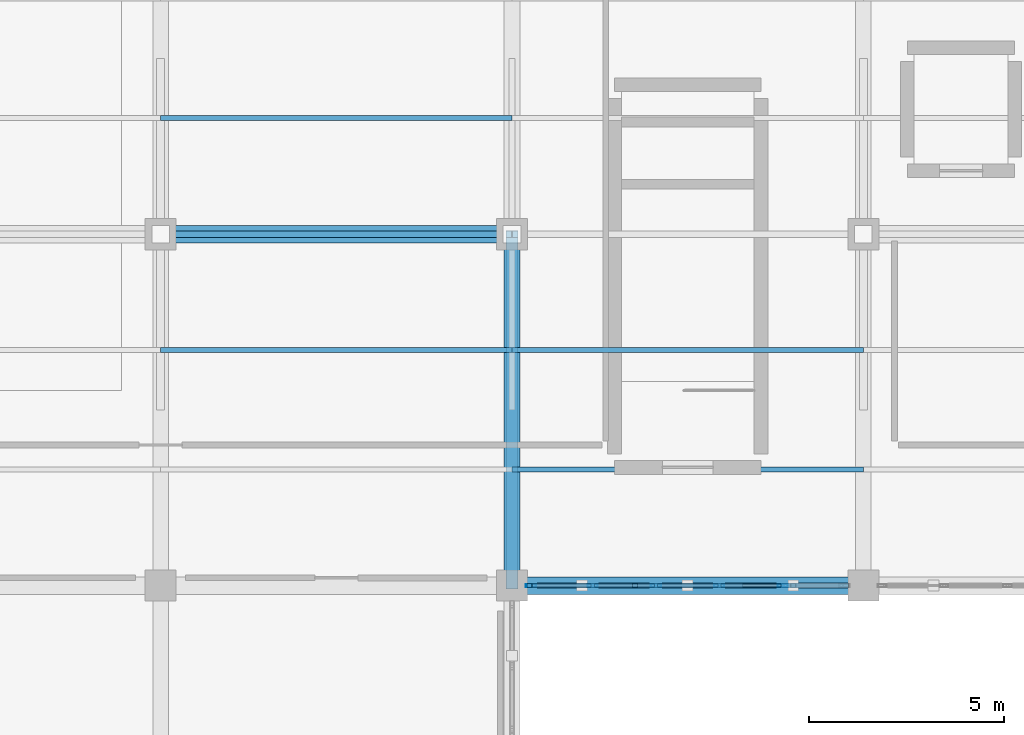
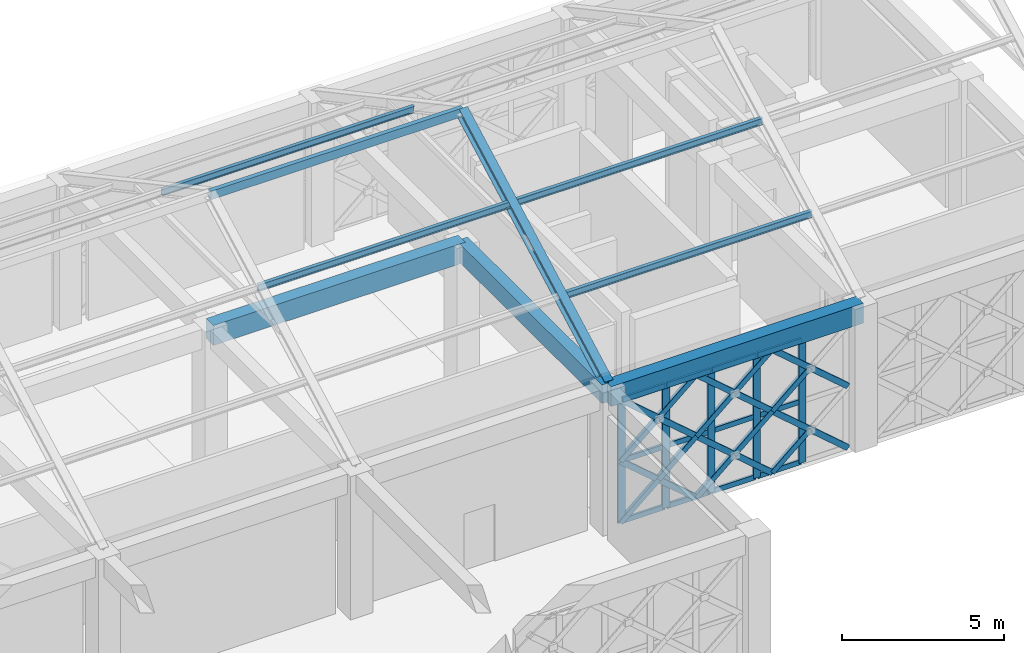
# One storey, part 51 of 86: 39 members, 3 beams, 1 element without a shape of its own.
"""IFC4 building model written with IfcOpenShell, lengths in metres."""

from ifc_helpers import new_model, si_unit, direction, frame, origin, origin_2d, place, context, subcontext, project, spatial, rectangle, hollow_rectangle, i_section, extrude, material, material_profile, profile_set, type_object, element, aggregate, save


model = new_model("IFC4")

# Units and contexts
model_context = context("Model", 3, precision=1e-05, world=origin(), true_north=direction((0.0, 1.0)))
body_context = subcontext(model_context, "Body", "Model", "MODEL_VIEW")
ifc_project = project(units=[si_unit("LENGTHUNIT", "METRE"), si_unit("AREAUNIT", "SQUARE_METRE"), si_unit("VOLUMEUNIT", "CUBIC_METRE"), si_unit("PLANEANGLEUNIT", "RADIAN"), si_unit("MASSUNIT", "GRAM", prefix="KILO")], contexts=[model_context])

# Site, building, storey
site_placement = place(None, origin())
site = spatial("IfcSite", under=ifc_project, at=site_placement, CompositionType="ELEMENT")
building_placement = place(site_placement, origin())
building = spatial("IfcBuilding", under=site, at=building_placement, Name="Haizhuo Lancet Aquarium", CompositionType="ELEMENT")
storey_placement = place(building_placement, frame((0.0, 0.0, 16.199951171875)))
storey = spatial("IfcBuildingStorey", under=building, at=storey_placement, Name="L03", CompositionType="ELEMENT", Elevation=16.199951171875)

# Beams
ifc_material_1 = material(Name="Concrete C40/50", Category="concrete")
ifc_material_profile_1 = material_profile(ifc_material_1, rectangle(XDim=0.39990234375, YDim=0.699951171875, at=origin_2d()), Name="RC-BM 400x700")
ifc_profile_set_1 = profile_set([ifc_material_profile_1], Name="Concrete C40/50")
beam_type_1 = type_object("IfcBeamType", Name="BM-RC-400x700", PredefinedType="BEAM", material=ifc_profile_set_1)
beam_placement = place(storey_placement, frame((54.0, -27.0, 5.050048828125), z_axis=(0.0, 1.0, 0.0), x_axis=(-1.0, 0.0, 0.0)))
element("IfcBeam", 1, at=beam_placement, inside=storey, type_object=beam_type_1, Name="L03 V3 primary girder BM-L03-V3-022", PredefinedType="BEAM", context=body_context, shape_type="SweptSolid", body=[
    extrude(rectangle(XDim=0.39990234375, YDim=0.699951171875, at=origin_2d()), origin(), (0.0, 0.0, 1.0), 9.0),
])
ifc_material_profile_2 = material_profile(ifc_material_1, rectangle(XDim=0.449951171875, YDim=0.75, at=origin_2d()), Name="RC-BM 450x750")
ifc_profile_set_2 = profile_set([ifc_material_profile_2], Name="Concrete C40/50")
beam_type_2 = type_object("IfcBeamType", Name="BM-RC-450x750", PredefinedType="BEAM", material=ifc_profile_set_2)
for number, where, z_axis, x_axis, name in (
    (2, (45.0, -18.0, 5.025146484375), (1.0, 0.0, 0.0), (0.0, 1.0, 0.0), "L03 V3 primary girder BM-L03-V3-019"),
    (3, (54.0, -27.0, 5.025146484375), (1.0, 0.0, 0.0), (0.0, 1.0, 0.0), "L03 V3 primary girder BM-L03-V3-023"),
):
    element("IfcBeam", number, at=place(storey_placement, frame(where, z_axis=z_axis, x_axis=x_axis)), inside=storey, type_object=beam_type_2, Name=name, PredefinedType="BEAM", context=body_context, shape_type="SweptSolid", body=[
        extrude(rectangle(XDim=0.449951171875, YDim=0.75, at=origin_2d()), origin(), (0.0, 0.0, 1.0), 9.0),
    ])

# Curtain wall, members
ifc_material_2 = material(Name="Aluminium 6063-T6", Category="aluminium")
curtain_wall_type = type_object("IfcCurtainWallType", Name="CWO-8110x4650", PredefinedType="NOTDEFINED", material=ifc_material_2)
curtain_wall_placement = place(storey_placement, origin())
curtain_wall = element("IfcCurtainWall", 4, at=curtain_wall_placement, inside=storey, type_object=curtain_wall_type, Name="L03 curtain wall CW-V3-L03-075", PredefinedType="NOTDEFINED")
ifc_material_profile_3 = material_profile(ifc_material_2, hollow_rectangle(XDim=0.080078125, YDim=0.260009765625, WallThickness=0.0048828125, at=origin_2d()), Name="ALU-M 80x260x5")
ifc_profile_set_3 = profile_set([ifc_material_profile_3], Name="Aluminium 6063-T6")
member_type_1 = type_object("IfcMemberType", Name="CW-MUL-3", PredefinedType="MULLION", material=ifc_profile_set_3)
member_1_placement = place(storey_placement, frame((60.93310546875, -27.0, 0.0), z_axis=(0.0, 0.0, 1.0), x_axis=(0.0, -1.0, 0.0)))
member_1 = element("IfcMember", 5, at=member_1_placement, type_object=member_type_1, Name="CWO-81x46 mullion 2", PredefinedType="MULLION", context=body_context, shape_type="SweptSolid", body=[
    extrude(hollow_rectangle(XDim=0.080078125, YDim=0.260009765625, WallThickness=0.0048828125, at=origin_2d()), origin(), (0.0, 0.0, 1.0), 4.650146484375),
])
member_2_placement = place(storey_placement, frame((59.31103515625, -27.0, 0.0), z_axis=(0.0, 0.0, 1.0), x_axis=(0.0, -1.0, 0.0)))
member_2 = element("IfcMember", 6, at=member_2_placement, type_object=member_type_1, Name="CWO-81x46 mullion 3", PredefinedType="MULLION", context=body_context, shape_type="SweptSolid", body=[
    extrude(hollow_rectangle(XDim=0.080078125, YDim=0.260009765625, WallThickness=0.0048828125, at=origin_2d()), origin(), (0.0, 0.0, 1.0), 4.650146484375),
])
member_3_placement = place(storey_placement, frame((57.68896484375, -27.0, 0.0), z_axis=(0.0, 0.0, 1.0), x_axis=(0.0, -1.0, 0.0)))
member_3 = element("IfcMember", 7, at=member_3_placement, type_object=member_type_1, Name="CWO-81x46 mullion 4", PredefinedType="MULLION", context=body_context, shape_type="SweptSolid", body=[
    extrude(hollow_rectangle(XDim=0.080078125, YDim=0.260009765625, WallThickness=0.0048828125, at=origin_2d()), origin(), (0.0, 0.0, 1.0), 4.650146484375),
])
member_4_placement = place(storey_placement, frame((56.06689453125, -27.0, 0.0), z_axis=(0.0, 0.0, 1.0), x_axis=(0.0, -1.0, 0.0)))
member_4 = element("IfcMember", 8, at=member_4_placement, type_object=member_type_1, Name="CWO-81x46 mullion 5", PredefinedType="MULLION", context=body_context, shape_type="SweptSolid", body=[
    extrude(hollow_rectangle(XDim=0.080078125, YDim=0.260009765625, WallThickness=0.0048828125, at=origin_2d()), origin(), (0.0, 0.0, 1.0), 4.650146484375),
])
member_5_placement = place(storey_placement, frame((54.485107421875, -27.0, 0.0), z_axis=(0.0, 0.0, 1.0), x_axis=(0.0, -1.0, 0.0)))
member_5 = element("IfcMember", 9, at=member_5_placement, type_object=member_type_1, Name="CWO-81x46 mullion 6", PredefinedType="MULLION", context=body_context, shape_type="SweptSolid", body=[
    extrude(hollow_rectangle(XDim=0.080078125, YDim=0.260009765625, WallThickness=0.0048828125, at=origin_2d()), origin(), (0.0, 0.0, 1.0), 4.650146484375),
])
ifc_material_profile_4 = material_profile(ifc_material_2, hollow_rectangle(XDim=0.080078125, YDim=0.18994140625, WallThickness=0.0048828125, at=origin_2d()), Name="ALU-T 80x190x5")
ifc_profile_set_4 = profile_set([ifc_material_profile_4], Name="Aluminium 6063-T6")
member_type_2 = type_object("IfcMemberType", Name="CW-TRN-3", PredefinedType="NOTDEFINED", material=ifc_profile_set_4)
member_6_placement = place(storey_placement, frame((60.89306640625, -27.0, 0.0400390625), z_axis=(-1.0, 0.0, 0.0), x_axis=(0.0, -1.0, 0.0)))
member_6 = element("IfcMember", 10, at=member_6_placement, type_object=member_type_2, Name="CWO-81x46 transom 2.1", ObjectType="TRANSOM", PredefinedType="USERDEFINED", context=body_context, shape_type="SweptSolid", body=[
    extrude(hollow_rectangle(XDim=0.080078125, YDim=0.18994140625, WallThickness=0.0048828125, at=origin_2d()), origin(), (0.0, 0.0, 1.0), 1.5419921875),
])
member_7_placement = place(storey_placement, frame((60.89306640625, -27.0, 2.324951171875), z_axis=(-1.0, 0.0, 0.0), x_axis=(0.0, -1.0, 0.0)))
member_7 = element("IfcMember", 11, at=member_7_placement, type_object=member_type_2, Name="CWO-81x46 transom 2.2", ObjectType="TRANSOM", PredefinedType="USERDEFINED", context=body_context, shape_type="SweptSolid", body=[
    extrude(hollow_rectangle(XDim=0.080078125, YDim=0.18994140625, WallThickness=0.0048828125, at=origin_2d()), origin(), (0.0, 0.0, 1.0), 1.5419921875),
])
member_8_placement = place(storey_placement, frame((60.89306640625, -27.0, 4.610107421875), z_axis=(-1.0, 0.0, 0.0), x_axis=(0.0, -1.0, 0.0)))
member_8 = element("IfcMember", 12, at=member_8_placement, type_object=member_type_2, Name="CWO-81x46 transom 2.3", ObjectType="TRANSOM", PredefinedType="USERDEFINED", context=body_context, shape_type="SweptSolid", body=[
    extrude(hollow_rectangle(XDim=0.080078125, YDim=0.18994140625, WallThickness=0.0048828125, at=origin_2d()), origin(), (0.0, 0.0, 1.0), 1.5419921875),
])
member_9_placement = place(storey_placement, frame((59.27099609375, -27.0, 0.0400390625), z_axis=(-1.0, 0.0, 0.0), x_axis=(0.0, -1.0, 0.0)))
member_9 = element("IfcMember", 13, at=member_9_placement, type_object=member_type_2, Name="CWO-81x46 transom 3.1", ObjectType="TRANSOM", PredefinedType="USERDEFINED", context=body_context, shape_type="SweptSolid", body=[
    extrude(hollow_rectangle(XDim=0.080078125, YDim=0.18994140625, WallThickness=0.0048828125, at=origin_2d()), origin(), (0.0, 0.0, 1.0), 1.5419921875),
])
member_10_placement = place(storey_placement, frame((59.27099609375, -27.0, 2.324951171875), z_axis=(-1.0, 0.0, 0.0), x_axis=(0.0, -1.0, 0.0)))
member_10 = element("IfcMember", 14, at=member_10_placement, type_object=member_type_2, Name="CWO-81x46 transom 3.2", ObjectType="TRANSOM", PredefinedType="USERDEFINED", context=body_context, shape_type="SweptSolid", body=[
    extrude(hollow_rectangle(XDim=0.080078125, YDim=0.18994140625, WallThickness=0.0048828125, at=origin_2d()), origin(), (0.0, 0.0, 1.0), 1.5419921875),
])
member_11_placement = place(storey_placement, frame((59.27099609375, -27.0, 4.610107421875), z_axis=(-1.0, 0.0, 0.0), x_axis=(0.0, -1.0, 0.0)))
member_11 = element("IfcMember", 15, at=member_11_placement, type_object=member_type_2, Name="CWO-81x46 transom 3.3", ObjectType="TRANSOM", PredefinedType="USERDEFINED", context=body_context, shape_type="SweptSolid", body=[
    extrude(hollow_rectangle(XDim=0.080078125, YDim=0.18994140625, WallThickness=0.0048828125, at=origin_2d()), origin(), (0.0, 0.0, 1.0), 1.5419921875),
])
member_12_placement = place(storey_placement, frame((57.64892578125, -27.0, 0.0400390625), z_axis=(-1.0, 0.0, 0.0), x_axis=(0.0, -1.0, 0.0)))
member_12 = element("IfcMember", 16, at=member_12_placement, type_object=member_type_2, Name="CWO-81x46 transom 4.1", ObjectType="TRANSOM", PredefinedType="USERDEFINED", context=body_context, shape_type="SweptSolid", body=[
    extrude(hollow_rectangle(XDim=0.080078125, YDim=0.18994140625, WallThickness=0.0048828125, at=origin_2d()), origin(), (0.0, 0.0, 1.0), 1.5419921875),
])
member_13_placement = place(storey_placement, frame((57.64892578125, -27.0, 2.324951171875), z_axis=(-1.0, 0.0, 0.0), x_axis=(0.0, -1.0, 0.0)))
member_13 = element("IfcMember", 17, at=member_13_placement, type_object=member_type_2, Name="CWO-81x46 transom 4.2", ObjectType="TRANSOM", PredefinedType="USERDEFINED", context=body_context, shape_type="SweptSolid", body=[
    extrude(hollow_rectangle(XDim=0.080078125, YDim=0.18994140625, WallThickness=0.0048828125, at=origin_2d()), origin(), (0.0, 0.0, 1.0), 1.5419921875),
])
member_14_placement = place(storey_placement, frame((57.64892578125, -27.0, 4.610107421875), z_axis=(-1.0, 0.0, 0.0), x_axis=(0.0, -1.0, 0.0)))
member_14 = element("IfcMember", 18, at=member_14_placement, type_object=member_type_2, Name="CWO-81x46 transom 4.3", ObjectType="TRANSOM", PredefinedType="USERDEFINED", context=body_context, shape_type="SweptSolid", body=[
    extrude(hollow_rectangle(XDim=0.080078125, YDim=0.18994140625, WallThickness=0.0048828125, at=origin_2d()), origin(), (0.0, 0.0, 1.0), 1.5419921875),
])
member_15_placement = place(storey_placement, frame((56.027099609375, -27.0, 0.0400390625), z_axis=(-1.0, 0.0, 0.0), x_axis=(0.0, -1.0, 0.0)))
member_15 = element("IfcMember", 19, at=member_15_placement, type_object=member_type_2, Name="CWO-81x46 transom 5.1", ObjectType="TRANSOM", PredefinedType="USERDEFINED", context=body_context, shape_type="SweptSolid", body=[
    extrude(hollow_rectangle(XDim=0.080078125, YDim=0.18994140625, WallThickness=0.0048828125, at=origin_2d()), origin(), (0.0, 0.0, 1.0), 1.502197265625),
])
member_16_placement = place(storey_placement, frame((56.027099609375, -27.0, 2.324951171875), z_axis=(-1.0, 0.0, 0.0), x_axis=(0.0, -1.0, 0.0)))
member_16 = element("IfcMember", 20, at=member_16_placement, type_object=member_type_2, Name="CWO-81x46 transom 5.2", ObjectType="TRANSOM", PredefinedType="USERDEFINED", context=body_context, shape_type="SweptSolid", body=[
    extrude(hollow_rectangle(XDim=0.080078125, YDim=0.18994140625, WallThickness=0.0048828125, at=origin_2d()), origin(), (0.0, 0.0, 1.0), 1.502197265625),
])
member_17_placement = place(storey_placement, frame((56.027099609375, -27.0, 4.610107421875), z_axis=(-1.0, 0.0, 0.0), x_axis=(0.0, -1.0, 0.0)))
member_17 = element("IfcMember", 21, at=member_17_placement, type_object=member_type_2, Name="CWO-81x46 transom 5.3", ObjectType="TRANSOM", PredefinedType="USERDEFINED", context=body_context, shape_type="SweptSolid", body=[
    extrude(hollow_rectangle(XDim=0.080078125, YDim=0.18994140625, WallThickness=0.0048828125, at=origin_2d()), origin(), (0.0, 0.0, 1.0), 1.502197265625),
])
aggregate(curtain_wall, [member_1, member_2, member_3, member_4, member_5, member_6, member_7, member_8, member_9, member_10, member_11, member_12, member_13, member_14, member_15, member_16, member_17])

# Members
ifc_material_3 = material(Name="Steel S355", Category="steel")
ifc_material_profile_5 = material_profile(ifc_material_3, hollow_rectangle(XDim=0.159912109375, YDim=0.320068359375, WallThickness=0.010009765625, at=origin_2d()), Name="RHS 160x320x10")
ifc_profile_set_5 = profile_set([ifc_material_profile_5], Name="Steel S355")
member_type_3 = type_object("IfcMemberType", Name="MEM-CH-RHS160x320", PredefinedType="CHORD", material=ifc_profile_set_5)
member_18_placement = place(storey_placement, frame((45.0, -18.0, 10.216064453125), z_axis=(1.0, 0.0, 0.0), x_axis=(0.0, 1.0, 0.0)))
element("IfcMember", 22, at=member_18_placement, inside=storey, type_object=member_type_3, Name="V3 roof ridge chord 3", PredefinedType="CHORD", context=body_context, shape_type="SweptSolid", body=[
    extrude(hollow_rectangle(XDim=0.159912109375, YDim=0.320068359375, WallThickness=0.010009765625, at=origin_2d()), origin(), (0.0, 0.0, 1.0), 9.0),
])
ifc_material_profile_6 = material_profile(ifc_material_3, hollow_rectangle(XDim=0.1201171875, YDim=0.199951171875, WallThickness=0.008056640625, at=origin_2d()), Name="RHS 120x200x8")
ifc_profile_set_6 = profile_set([ifc_material_profile_6], Name="Steel S355")
member_type_4 = type_object("IfcMemberType", Name="MEM-LB-RHS120x200", PredefinedType="BRACE", material=ifc_profile_set_6)
member_19_placement = place(storey_placement, frame((62.554931640625, -27.0, 0.0), z_axis=(-0.758119517235, 0.0, 0.652115632068), x_axis=(0.0, -1.0, 0.0)))
element("IfcMember", 23, at=member_19_placement, inside=storey, type_object=member_type_4, Name="Gothic lancet continuous diagonal brace CW-V3-L03-075 1A", PredefinedType="BRACE", context=body_context, shape_type="SweptSolid", body=[
    extrude(hollow_rectangle(XDim=0.1201171875, YDim=0.199951171875, WallThickness=0.008056640625, at=origin_2d()), origin(), (0.0, 0.0, 1.0), 3.565185546875),
])
member_20_placement = place(storey_placement, frame((59.85205078125, -27.0, 0.0), z_axis=(0.758075457988, 0.0, 0.652166849814), x_axis=(0.0, 1.0, 0.0)))
element("IfcMember", 24, at=member_20_placement, inside=storey, type_object=member_type_4, Name="Gothic lancet split diagonal brace CW-V3-L03-075 1B1", PredefinedType="BRACE", context=body_context, shape_type="SweptSolid", body=[
    extrude(hollow_rectangle(XDim=0.1201171875, YDim=0.199951171875, WallThickness=0.008056640625, at=origin_2d()), origin(), (0.0, 0.0, 1.0), 1.781982421875),
])
member_21_placement = place(storey_placement, frame((62.554931640625, -27.0, 2.324951171875), z_axis=(-0.758085663481, 0.0, 0.652154986812), x_axis=(0.0, -1.0, 0.0)))
element("IfcMember", 25, at=member_21_placement, inside=storey, type_object=member_type_4, Name="Gothic lancet continuous diagonal brace CW-V3-L03-075 2A", PredefinedType="BRACE", context=body_context, shape_type="SweptSolid", body=[
    extrude(hollow_rectangle(XDim=0.1201171875, YDim=0.199951171875, WallThickness=0.008056640625, at=origin_2d()), origin(), (0.0, 0.0, 1.0), 3.5654296875),
])
member_22_placement = place(storey_placement, frame((59.85205078125, -27.0, 2.324951171875), z_axis=(0.757804543333, 0.0, 0.652481627407), x_axis=(0.0, 1.0, 0.0)))
element("IfcMember", 26, at=member_22_placement, inside=storey, type_object=member_type_4, Name="Gothic lancet split diagonal brace CW-V3-L03-075 2B1", PredefinedType="BRACE", context=body_context, shape_type="SweptSolid", body=[
    extrude(hollow_rectangle(XDim=0.1201171875, YDim=0.199951171875, WallThickness=0.008056640625, at=origin_2d()), origin(), (0.0, 0.0, 1.0), 1.782470703125),
])
member_23_placement = place(storey_placement, frame((59.85205078125, -27.0, 0.0), z_axis=(-0.758265063468, 0.0, 0.651946388535), x_axis=(0.0, -1.0, 0.0)))
element("IfcMember", 27, at=member_23_placement, inside=storey, type_object=member_type_4, Name="Gothic lancet continuous diagonal brace CW-V3-L03-075 3A", PredefinedType="BRACE", context=body_context, shape_type="SweptSolid", body=[
    extrude(hollow_rectangle(XDim=0.1201171875, YDim=0.199951171875, WallThickness=0.008056640625, at=origin_2d()), origin(), (0.0, 0.0, 1.0), 3.566162109375),
])
member_24_placement = place(storey_placement, frame((57.14794921875, -27.0, 0.0), z_axis=(0.758366597375, 0.0, 0.651828277989), x_axis=(0.0, 1.0, 0.0)))
element("IfcMember", 28, at=member_24_placement, inside=storey, type_object=member_type_4, Name="Gothic lancet split diagonal brace CW-V3-L03-075 3B1", PredefinedType="BRACE", context=body_context, shape_type="SweptSolid", body=[
    extrude(hollow_rectangle(XDim=0.1201171875, YDim=0.199951171875, WallThickness=0.008056640625, at=origin_2d()), origin(), (0.0, 0.0, 1.0), 1.782958984375),
])
member_25_placement = place(storey_placement, frame((58.5, -27.0, 1.162109375), z_axis=(0.758163538361, 0.0, 0.652064451646), x_axis=(0.0, 1.0, 0.0)))
element("IfcMember", 29, at=member_25_placement, inside=storey, type_object=member_type_4, Name="Gothic lancet split diagonal brace CW-V3-L03-075 3B2", PredefinedType="BRACE", context=body_context, shape_type="SweptSolid", body=[
    extrude(hollow_rectangle(XDim=0.1201171875, YDim=0.199951171875, WallThickness=0.008056640625, at=origin_2d()), origin(), (0.0, 0.0, 1.0), 1.783203125),
])
member_26_placement = place(storey_placement, frame((59.85205078125, -27.0, 2.324951171875), z_axis=(-0.758231220788, 0.0, 0.651985748175), x_axis=(0.0, -1.0, 0.0)))
element("IfcMember", 30, at=member_26_placement, inside=storey, type_object=member_type_4, Name="Gothic lancet continuous diagonal brace CW-V3-L03-075 4A", PredefinedType="BRACE", context=body_context, shape_type="SweptSolid", body=[
    extrude(hollow_rectangle(XDim=0.1201171875, YDim=0.199951171875, WallThickness=0.008056640625, at=origin_2d()), origin(), (0.0, 0.0, 1.0), 3.56640625),
])
member_27_placement = place(storey_placement, frame((57.14794921875, -27.0, 2.324951171875), z_axis=(0.75809585985, 0.0, 0.652143134042), x_axis=(0.0, 1.0, 0.0)))
element("IfcMember", 31, at=member_27_placement, inside=storey, type_object=member_type_4, Name="Gothic lancet split diagonal brace CW-V3-L03-075 4B1", PredefinedType="BRACE", context=body_context, shape_type="SweptSolid", body=[
    extrude(hollow_rectangle(XDim=0.1201171875, YDim=0.199951171875, WallThickness=0.008056640625, at=origin_2d()), origin(), (0.0, 0.0, 1.0), 1.783447265625),
])
member_28_placement = place(storey_placement, frame((58.5, -27.0, 3.488037109375), z_axis=(0.758366597375, 0.0, 0.651828277989), x_axis=(0.0, 1.0, 0.0)))
element("IfcMember", 32, at=member_28_placement, inside=storey, type_object=member_type_4, Name="Gothic lancet split diagonal brace CW-V3-L03-075 4B2", PredefinedType="BRACE", context=body_context, shape_type="SweptSolid", body=[
    extrude(hollow_rectangle(XDim=0.1201171875, YDim=0.199951171875, WallThickness=0.008056640625, at=origin_2d()), origin(), (0.0, 0.0, 1.0), 1.782958984375),
])
member_29_placement = place(storey_placement, frame((57.14794921875, -27.0, 0.0), z_axis=(-0.758119517235, 0.0, 0.652115632068), x_axis=(0.0, -1.0, 0.0)))
element("IfcMember", 33, at=member_29_placement, inside=storey, type_object=member_type_4, Name="Gothic lancet continuous diagonal brace CW-V3-L03-075 5A", PredefinedType="BRACE", context=body_context, shape_type="SweptSolid", body=[
    extrude(hollow_rectangle(XDim=0.1201171875, YDim=0.199951171875, WallThickness=0.008056640625, at=origin_2d()), origin(), (0.0, 0.0, 1.0), 3.565185546875),
])
member_30_placement = place(storey_placement, frame((54.445068359375, -27.0, 0.0), z_axis=(0.758366597375, 0.0, 0.651828277989), x_axis=(0.0, 1.0, 0.0)))
element("IfcMember", 34, at=member_30_placement, inside=storey, type_object=member_type_4, Name="Gothic lancet split diagonal brace CW-V3-L03-075 5B1", PredefinedType="BRACE", context=body_context, shape_type="SweptSolid", body=[
    extrude(hollow_rectangle(XDim=0.1201171875, YDim=0.199951171875, WallThickness=0.008056640625, at=origin_2d()), origin(), (0.0, 0.0, 1.0), 1.782958984375),
])
member_31_placement = place(storey_placement, frame((55.797119140625, -27.0, 1.162109375), z_axis=(0.757872266095, 0.0, 0.65240296465), x_axis=(0.0, 1.0, 0.0)))
element("IfcMember", 35, at=member_31_placement, inside=storey, type_object=member_type_4, Name="Gothic lancet split diagonal brace CW-V3-L03-075 5B2", PredefinedType="BRACE", context=body_context, shape_type="SweptSolid", body=[
    extrude(hollow_rectangle(XDim=0.1201171875, YDim=0.199951171875, WallThickness=0.008056640625, at=origin_2d()), origin(), (0.0, 0.0, 1.0), 1.782470703125),
])
member_32_placement = place(storey_placement, frame((57.14794921875, -27.0, 2.324951171875), z_axis=(-0.758085663481, 0.0, 0.652154986812), x_axis=(0.0, -1.0, 0.0)))
element("IfcMember", 36, at=member_32_placement, inside=storey, type_object=member_type_4, Name="Gothic lancet continuous diagonal brace CW-V3-L03-075 6A", PredefinedType="BRACE", context=body_context, shape_type="SweptSolid", body=[
    extrude(hollow_rectangle(XDim=0.1201171875, YDim=0.199951171875, WallThickness=0.008056640625, at=origin_2d()), origin(), (0.0, 0.0, 1.0), 3.5654296875),
])
member_33_placement = place(storey_placement, frame((54.445068359375, -27.0, 2.324951171875), z_axis=(0.75809585985, 0.0, 0.652143134042), x_axis=(0.0, 1.0, 0.0)))
element("IfcMember", 37, at=member_33_placement, inside=storey, type_object=member_type_4, Name="Gothic lancet split diagonal brace CW-V3-L03-075 6B1", PredefinedType="BRACE", context=body_context, shape_type="SweptSolid", body=[
    extrude(hollow_rectangle(XDim=0.1201171875, YDim=0.199951171875, WallThickness=0.008056640625, at=origin_2d()), origin(), (0.0, 0.0, 1.0), 1.783447265625),
])
member_34_placement = place(storey_placement, frame((55.797119140625, -27.0, 3.488037109375), z_axis=(0.758075457988, 0.0, 0.652166849814), x_axis=(0.0, 1.0, 0.0)))
element("IfcMember", 38, at=member_34_placement, inside=storey, type_object=member_type_4, Name="Gothic lancet split diagonal brace CW-V3-L03-075 6B2", PredefinedType="BRACE", context=body_context, shape_type="SweptSolid", body=[
    extrude(hollow_rectangle(XDim=0.1201171875, YDim=0.199951171875, WallThickness=0.008056640625, at=origin_2d()), origin(), (0.0, 0.0, 1.0), 1.781982421875),
])
ifc_material_profile_7 = material_profile(ifc_material_3, i_section(OverallWidth=0.125, OverallDepth=0.25, WebThickness=0.006103515625, FlangeThickness=0.009033203125, FilletRadius=0.010009765625, at=origin_2d()), Name="HN 250x125x6x9")
ifc_profile_set_7 = profile_set([ifc_material_profile_7], Name="Steel S355")
member_type_5 = type_object("IfcMemberType", Name="MEM-PR-HN250", PredefinedType="PURLIN", material=ifc_profile_set_7)
for number, where, z_axis, x_axis, name in (
    (39, (45.0, -20.969970703125, 8.507080078125), (1.0, 0.0, 0.0), (0.0, 1.0, 0.0), "V3 south roof purlin 3"),
    (40, (45.0, -15.030029296875, 8.507080078125), (1.0, 0.0, 0.0), (0.0, 1.0, 0.0), "V3 north roof purlin 3"),
    (41, (54.0, -24.030029296875, 6.859130859375), (1.0, 0.0, 0.0), (0.0, 1.0, 0.0), "V3 south roof purlin 4"),
    (42, (54.0, -20.969970703125, 8.507080078125), (1.0, 0.0, 0.0), (0.0, 1.0, 0.0), "V3 south roof purlin 4"),
):
    element("IfcMember", number, at=place(storey_placement, frame(where, z_axis=z_axis, x_axis=x_axis)), inside=storey, type_object=member_type_5, Name=name, PredefinedType="PURLIN", context=body_context, shape_type="SweptSolid", body=[
        extrude(i_section(OverallWidth=0.125, OverallDepth=0.25, WebThickness=0.006103515625, FlangeThickness=0.009033203125, FilletRadius=0.010009765625, at=origin_2d()), origin(), (0.0, 0.0, 1.0), 9.0),
    ])
ifc_material_profile_8 = material_profile(ifc_material_3, i_section(OverallWidth=0.300048828125, OverallDepth=0.389892578125, WebThickness=0.010009765625, FlangeThickness=0.01611328125, FilletRadius=0.02001953125, at=origin_2d()), Name="HM 390x300x10x16")
ifc_profile_set_8 = profile_set([ifc_material_profile_8], Name="Steel S355")
member_type_6 = type_object("IfcMemberType", Name="MEM-RF-HM390", PredefinedType="RAFTER", material=ifc_profile_set_8)
member_35_placement = place(storey_placement, frame((54.0, -27.0, 5.3701171875), z_axis=(0.0, 0.880479536064, 0.474084155581), x_axis=(-1.0, 0.0, 0.0)))
element("IfcMember", 43, at=member_35_placement, inside=storey, type_object=member_type_6, Name="V3 Gothic pitched roof south rafter 4", PredefinedType="RAFTER", context=body_context, shape_type="SweptSolid", body=[
    extrude(i_section(OverallWidth=0.300048828125, OverallDepth=0.389892578125, WebThickness=0.010009765625, FlangeThickness=0.01611328125, FilletRadius=0.02001953125, at=origin_2d()), origin(), (0.0, 0.0, 1.0), 10.2216796875),
])

save(model, "model.ifc")
